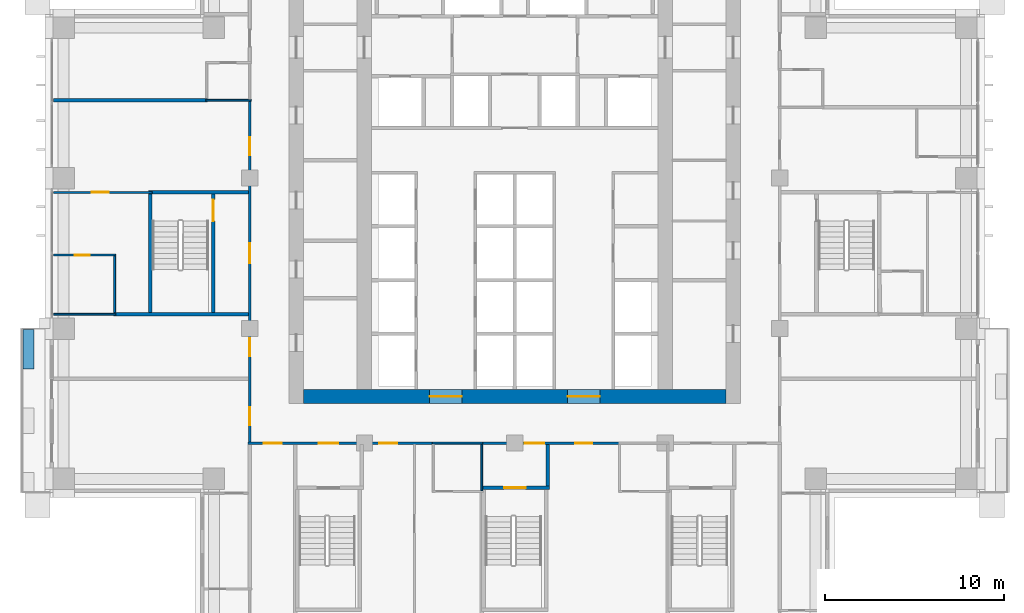
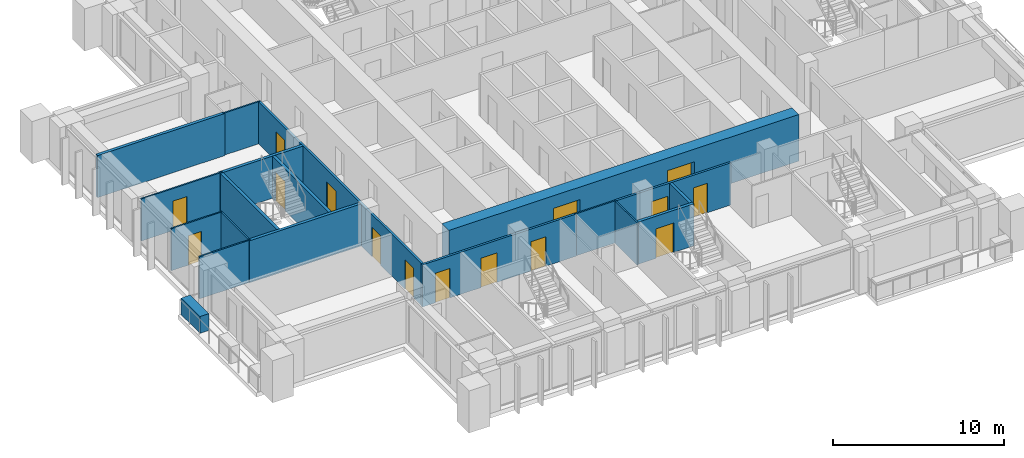
# One storey, part 10 of 21: 19 walls, 15 doors, 15 openings.
"""IFC4 building model written with IfcOpenShell, lengths in metres."""

from ifc_helpers import new_model, si_unit, direction, frame, frame_2d, origin, place, context, subcontext, project, spatial, rectangle, extrude, material, layer, layer_set, type_object, element, fill, save


model = new_model("IFC4")

# Units and contexts
model_context = context("Model", 3, precision=1e-05, world=origin(), true_north=direction((0.0, 1.0)))
body_context = subcontext(model_context, "Body", "Model", "MODEL_VIEW")
ifc_project = project(units=[si_unit("LENGTHUNIT", "METRE"), si_unit("AREAUNIT", "SQUARE_METRE"), si_unit("VOLUMEUNIT", "CUBIC_METRE"), si_unit("PLANEANGLEUNIT", "RADIAN"), si_unit("MASSUNIT", "GRAM", prefix="KILO")], contexts=[model_context])

# Site, building, storey
site_placement = place(None, origin())
site = spatial("IfcSite", under=ifc_project, at=site_placement, CompositionType="ELEMENT")
building_placement = place(site_placement, origin())
building = spatial("IfcBuilding", under=site, at=building_placement, Name="Vermilion Ogive Tower", CompositionType="ELEMENT")
storey_placement = place(building_placement, frame((0.0, 0.0, 118.35009765625)))
storey = spatial("IfcBuildingStorey", under=building, at=storey_placement, Name="L30", CompositionType="ELEMENT", Elevation=118.35009765625)

# Wall, openings, doors
ifc_material_1 = material(Name="Concrete B80", Category="concrete")
ifc_layer_1 = layer(ifc_material_1, 0.800048828125)
ifc_layer_set_1 = layer_set([ifc_layer_1], Name="Core wall 800 B80")
wall_type_1 = type_object("IfcWallType", Name="Core wall 800 B80", PredefinedType="SHEAR", material=ifc_layer_set_1)
wall_1_placement = place(storey_placement, frame((-11.800048828125, -8.0, -0.320068359375), z_axis=(0.0, 0.0, 1.0), x_axis=(1.0, 0.0, 0.0)))
wall_1 = element("IfcWall", 1, at=wall_1_placement, inside=storey, type_object=wall_type_1, Name="L30-CORE-S", PredefinedType="SHEAR", context=body_context, shape_type="SweptSolid", body=[
    extrude(rectangle(XDim=23.60009765625, YDim=0.800048828125, at=frame_2d((11.800048828125, 0.0))), origin(), (0.0, 0.0, 1.0), 3.320068359375),
])
opening_1_placement = place(wall_1_placement, frame((7.050048828125, 0.0, 0.320068359375)))
opening_1 = element("IfcOpeningElement", 2, at=opening_1_placement, cuts=wall_1, Name="Opening DAH023", PredefinedType="OPENING", context=body_context, shape_type="SweptSolid", body=[
    extrude(rectangle(XDim=1.800048828125, YDim=2.10009765625, at=frame_2d((0.89990234375, 1.050048828125))), frame((0.0, 0.409912109375, 0.0), z_axis=(0.0, -1.0, 0.0), x_axis=(1.0, 0.0, 0.0)), (0.0, 0.0, 1.0), 0.820068359375),
])
opening_2_placement = place(wall_1_placement, frame((14.75, 0.0, 0.320068359375)))
opening_2 = element("IfcOpeningElement", 3, at=opening_2_placement, cuts=wall_1, Name="Opening DAH024", PredefinedType="OPENING", context=body_context, shape_type="SweptSolid", body=[
    extrude(rectangle(XDim=1.800048828125, YDim=2.10009765625, at=frame_2d((0.89990234375, 1.050048828125))), frame((0.0, 0.409912109375, 0.0), z_axis=(0.0, -1.0, 0.0), x_axis=(1.0, 0.0, 0.0)), (0.0, 0.0, 1.0), 0.820068359375),
])
ifc_material_2 = material(Name="Timber door leaf", Category="wood")
door_type_1 = type_object("IfcDoorType", Name="Core entry door 1800 x 2100 FD60S", OperationType="DOUBLE_DOOR_SINGLE_SWING", PredefinedType="DOOR", material=ifc_material_2)
door_1_placement = place(opening_1_placement, origin())
door_1 = element("IfcDoor", 4, at=door_1_placement, inside=storey, type_object=door_type_1, Name="L30-CK-XD1", OperationType="SINGLE_SWING_LEFT", OverallHeight=2.10009765625, OverallWidth=1.800048828125, PredefinedType="DOOR", context=body_context, shape_type="SweptSolid", body=[
    extrude(rectangle(XDim=1.800048828125, YDim=2.10009765625, at=frame_2d((0.89990234375, 1.050048828125))), frame((0.0, 0.02490234375, 0.0), z_axis=(0.0, -1.0, 0.0), x_axis=(1.0, 0.0, 0.0)), (0.0, 0.0, 1.0), 0.050048828125),
])
fill(opening_1, door_1)
door_2_placement = place(opening_2_placement, origin())
door_2 = element("IfcDoor", 5, at=door_2_placement, inside=storey, type_object=door_type_1, Name="L30-CK-XD2", OperationType="SINGLE_SWING_LEFT", OverallHeight=2.10009765625, OverallWidth=1.800048828125, PredefinedType="DOOR", context=body_context, shape_type="SweptSolid", body=[
    extrude(rectangle(XDim=1.800048828125, YDim=2.10009765625, at=frame_2d((0.89990234375, 1.050048828125))), frame((0.0, 0.02490234375, 0.0), z_axis=(0.0, -1.0, 0.0), x_axis=(1.0, 0.0, 0.0)), (0.0, 0.0, 1.0), 0.050048828125),
])
fill(opening_2, door_2)

# Walls
ifc_material_3 = material(Name="Gypsum board partition on steel studs", Category="steel")
ifc_layer_2 = layer(ifc_material_3, 0.10009765625)
ifc_layer_set_2 = layer_set([ifc_layer_2], Name="Partition 100 bath")
wall_type_2 = type_object("IfcWallType", Name="Partition 100 bath", PredefinedType="PARTITIONING", material=ifc_layer_set_2)
wall_2_placement = place(storey_placement, frame((-4.60009765625, -10.60009765625, 0.0), z_axis=(0.0, 0.0, 1.0), x_axis=(1.0, 0.0, 0.0)))
element("IfcWall", 6, at=wall_2_placement, inside=storey, type_object=wall_type_2, Name="L30-W-W014", PredefinedType="PARTITIONING", context=body_context, shape_type="SweptSolid", body=[
    extrude(rectangle(XDim=2.800048828125, YDim=0.10009765625, at=frame_2d((1.39990234375, 0.0))), origin(), (0.0, 0.0, 1.0), 3.0),
])
wall_3_placement = place(storey_placement, frame((-25.75, -3.39990234375, 0.0), z_axis=(0.0, 0.0, 1.0), x_axis=(1.0, 0.0, 0.0)))
element("IfcWall", 7, at=wall_3_placement, inside=storey, type_object=wall_type_2, Name="L30-W-W020", PredefinedType="PARTITIONING", context=body_context, shape_type="SweptSolid", body=[
    extrude(rectangle(XDim=3.449951171875, YDim=0.10009765625, at=frame_2d((1.72509765625, 0.0))), origin(), (0.0, 0.0, 1.0), 3.0),
])

# Wall, opening, door
wall_4_placement = place(storey_placement, frame((-25.75, -0.10009765625, 0.0), z_axis=(0.0, 0.0, 1.0), x_axis=(1.0, 0.0, 0.0)))
wall_4 = element("IfcWall", 8, at=wall_4_placement, inside=storey, type_object=wall_type_2, Name="L30-W-W026", PredefinedType="PARTITIONING", context=body_context, shape_type="SweptSolid", body=[
    extrude(rectangle(XDim=3.449951171875, YDim=0.10009765625, at=frame_2d((1.72509765625, 0.0))), origin(), (0.0, 0.0, 1.0), 3.0),
])
opening_3_placement = place(wall_4_placement, frame((1.175048828125, 0.0, 0.0)))
opening_3 = element("IfcOpeningElement", 9, at=opening_3_placement, cuts=wall_4, Name="Opening D2G6006", PredefinedType="OPENING", context=body_context, shape_type="SweptSolid", body=[
    extrude(rectangle(XDim=0.85009765625, YDim=2.10009765625, at=frame_2d((0.425048828125, 1.050048828125))), frame((0.0, 0.06005859375, 0.0), z_axis=(0.0, -1.0, 0.0), x_axis=(1.0, 0.0, 0.0)), (0.0, 0.0, 1.0), 0.1201171875),
])
ifc_material_4 = material(Name="Timber door leaf", Category="wood")
door_type_2 = type_object("IfcDoorType", Name="Bath door 850 x 2100 FD30", OperationType="SINGLE_SWING_LEFT", PredefinedType="DOOR", material=ifc_material_4)
door_3_placement = place(opening_3_placement, origin())
door_3 = element("IfcDoor", 10, at=door_3_placement, inside=storey, type_object=door_type_2, Name="L30-D-D006", OperationType="SINGLE_SWING_RIGHT", OverallHeight=2.10009765625, OverallWidth=0.85009765625, PredefinedType="DOOR", context=body_context, shape_type="SweptSolid", body=[
    extrude(rectangle(XDim=0.85009765625, YDim=2.10009765625, at=frame_2d((0.425048828125, 1.050048828125))), frame((0.0, 0.02490234375, 0.0), z_axis=(0.0, -1.0, 0.0), x_axis=(1.0, 0.0, 0.0)), (0.0, 0.0, 1.0), 0.050048828125),
])
fill(opening_3, door_3)

# Walls
wall_5_placement = place(storey_placement, frame((-17.25, 8.550048828125, 0.0), z_axis=(0.0, 0.0, 1.0), x_axis=(1.0, 0.0, 0.0)))
element("IfcWall", 11, at=wall_5_placement, inside=storey, type_object=wall_type_2, Name="L30-W-W035", PredefinedType="PARTITIONING", context=body_context, shape_type="SweptSolid", body=[
    extrude(rectangle(XDim=2.52490234375, YDim=0.10009765625, at=frame_2d((1.262451171875, 0.0))), origin(), (0.0, 0.0, 1.0), 3.0),
])
wall_6_placement = place(storey_placement, frame((-22.35009765625, -3.300048828125, 0.0), z_axis=(0.0, 0.0, 1.0), x_axis=(0.0, 1.0, 0.0)))
element("IfcWall", 12, at=wall_6_placement, inside=storey, type_object=wall_type_2, Name="L30-W-W042", PredefinedType="PARTITIONING", context=body_context, shape_type="SweptSolid", body=[
    extrude(rectangle(XDim=3.150146484375, YDim=0.10009765625, at=frame_2d((1.5751953125, 0.0))), origin(), (0.0, 0.0, 1.0), 3.0),
])
wall_7_placement = place(storey_placement, frame((-1.85009765625, -13.25, 0.0), z_axis=(0.0, 0.0, 1.0), x_axis=(0.0, 1.0, 0.0)))
element("IfcWall", 13, at=wall_7_placement, inside=storey, type_object=wall_type_2, Name="L30-W-W058", PredefinedType="PARTITIONING", context=body_context, shape_type="SweptSolid", body=[
    extrude(rectangle(XDim=2.574951171875, YDim=0.10009765625, at=frame_2d((1.28759765625, 0.0))), origin(), (0.0, 0.0, 1.0), 3.0),
])

# Wall, opening, door
ifc_material_5 = material(Name="Gypsum board partition on steel studs", Category="steel")
ifc_layer_3 = layer(ifc_material_5, 0.10009765625)
ifc_layer_set_3 = layer_set([ifc_layer_3], Name="Partition 100 inner")
wall_type_3 = type_object("IfcWallType", Name="Partition 100 inner", PredefinedType="PARTITIONING", material=ifc_layer_set_3)
wall_8_placement = place(storey_placement, frame((-25.75, 3.39990234375, 0.0), z_axis=(0.0, 0.0, 1.0), x_axis=(1.0, 0.0, 0.0)))
wall_8 = element("IfcWall", 14, at=wall_8_placement, inside=storey, type_object=wall_type_3, Name="L30-W-W027", PredefinedType="PARTITIONING", context=body_context, shape_type="SweptSolid", body=[
    extrude(rectangle(XDim=5.5, YDim=0.10009765625, at=frame_2d((2.75, 0.0))), origin(), (0.0, 0.0, 1.0), 3.0),
])
opening_4_placement = place(wall_8_placement, frame((2.125, 0.0, 0.0)))
opening_4 = element("IfcOpeningElement", 15, at=opening_4_placement, cuts=wall_8, Name="Opening D2G6005", PredefinedType="OPENING", context=body_context, shape_type="SweptSolid", body=[
    extrude(rectangle(XDim=0.949951171875, YDim=2.10009765625, at=frame_2d((0.47509765625, 1.050048828125))), frame((0.0, 0.06005859375, 0.0), z_axis=(0.0, -1.0, 0.0), x_axis=(1.0, 0.0, 0.0)), (0.0, 0.0, 1.0), 0.1201171875),
])
ifc_material_6 = material(Name="Timber door leaf", Category="wood")
door_type_3 = type_object("IfcDoorType", Name="Inner door 950 x 2100 FD30", OperationType="SINGLE_SWING_LEFT", PredefinedType="DOOR", material=ifc_material_6)
door_4_placement = place(opening_4_placement, origin())
door_4 = element("IfcDoor", 16, at=door_4_placement, inside=storey, type_object=door_type_3, Name="L30-D-D005", OperationType="SINGLE_SWING_LEFT", OverallHeight=2.10009765625, OverallWidth=0.949951171875, PredefinedType="DOOR", context=body_context, shape_type="SweptSolid", body=[
    extrude(rectangle(XDim=0.949951171875, YDim=2.10009765625, at=frame_2d((0.47509765625, 1.050048828125))), frame((0.0, 0.02490234375, 0.0), z_axis=(0.0, -1.0, 0.0), x_axis=(1.0, 0.0, 0.0)), (0.0, 0.0, 1.0), 0.050048828125),
])
fill(opening_4, door_4)

# Wall, openings, doors
ifc_material_7 = material(Name="Gypsum board partition on steel studs", Category="steel")
ifc_layer_4 = layer(ifc_material_7, 0.14990234375)
ifc_layer_set_4 = layer_set([ifc_layer_4], Name="Partition 150 corridor")
wall_type_4 = type_object("IfcWallType", Name="Partition 150 corridor", PredefinedType="PARTITIONING", material=ifc_layer_set_4)
wall_9_placement = place(storey_placement, frame((-14.89990234375, -10.60009765625, 0.0), z_axis=(0.0, 0.0, 1.0), x_axis=(1.0, 0.0, 0.0)))
wall_9 = element("IfcWall", 17, at=wall_9_placement, inside=storey, type_object=wall_type_4, Name="L30-W-W013", PredefinedType="PARTITIONING", context=body_context, shape_type="SweptSolid", body=[
    extrude(rectangle(XDim=10.39990234375, YDim=0.14990234375, at=frame_2d((5.199951171875, 0.0))), origin(), (0.0, 0.0, 1.0), 3.0),
])
opening_5_placement = place(wall_9_placement, frame((7.324951171875, 0.0, 0.0)))
opening_5 = element("IfcOpeningElement", 18, at=opening_5_placement, cuts=wall_9, Name="Opening D2G6011", PredefinedType="OPENING", context=body_context, shape_type="SweptSolid", body=[
    extrude(rectangle(XDim=1.0, YDim=2.10009765625, at=frame_2d((0.5, 1.050048828125))), frame((0.0, 0.0849609375, 0.0), z_axis=(0.0, -1.0, 0.0), x_axis=(1.0, 0.0, 0.0)), (0.0, 0.0, 1.0), 0.169921875),
])
opening_6_placement = place(wall_9_placement, frame((3.949951171875, 0.0, 0.0)))
opening_6 = element("IfcOpeningElement", 19, at=opening_6_placement, cuts=wall_9, Name="Opening D2G6028", PredefinedType="OPENING", context=body_context, shape_type="SweptSolid", body=[
    extrude(rectangle(XDim=1.10009765625, YDim=2.10009765625, at=frame_2d((0.550048828125, 1.050048828125))), frame((0.0, 0.0849609375, 0.0), z_axis=(0.0, -1.0, 0.0), x_axis=(1.0, 0.0, 0.0)), (0.0, 0.0, 1.0), 0.169921875),
])
opening_7_placement = place(wall_9_placement, frame((0.875, 0.0, 0.0)))
opening_7 = element("IfcOpeningElement", 20, at=opening_7_placement, cuts=wall_9, Name="Opening D2G6038", PredefinedType="OPENING", context=body_context, shape_type="SweptSolid", body=[
    extrude(rectangle(XDim=1.0, YDim=2.10009765625, at=frame_2d((0.5, 1.050048828125))), frame((0.0, 0.0849609375, 0.0), z_axis=(0.0, -1.0, 0.0), x_axis=(1.0, 0.0, 0.0)), (0.0, 0.0, 1.0), 0.169921875),
])
ifc_material_8 = material(Name="Timber door leaf", Category="wood")
door_type_4 = type_object("IfcDoorType", Name="Stair door 1100 x 2100 FD60S", OperationType="SINGLE_SWING_LEFT", PredefinedType="DOOR", material=ifc_material_8)
door_5_placement = place(opening_6_placement, origin())
door_5 = element("IfcDoor", 21, at=door_5_placement, inside=storey, type_object=door_type_4, Name="L30-D-D028", OperationType="SINGLE_SWING_RIGHT", OverallHeight=2.10009765625, OverallWidth=1.10009765625, PredefinedType="DOOR", context=body_context, shape_type="SweptSolid", body=[
    extrude(rectangle(XDim=1.10009765625, YDim=2.10009765625, at=frame_2d((0.550048828125, 1.050048828125))), frame((0.0, 0.02490234375, 0.0), z_axis=(0.0, -1.0, 0.0), x_axis=(1.0, 0.0, 0.0)), (0.0, 0.0, 1.0), 0.050048828125),
])
fill(opening_6, door_5)
ifc_material_9 = material(Name="Timber door leaf", Category="wood")
door_type_5 = type_object("IfcDoorType", Name="Unit door 1000 x 2100 FD30S", OperationType="SINGLE_SWING_LEFT", PredefinedType="DOOR", material=ifc_material_9)
door_6_placement = place(opening_5_placement, origin())
door_6 = element("IfcDoor", 22, at=door_6_placement, inside=storey, type_object=door_type_5, Name="L30-D-D011", OperationType="SINGLE_SWING_RIGHT", OverallHeight=2.10009765625, OverallWidth=1.0, PredefinedType="DOOR", context=body_context, shape_type="SweptSolid", body=[
    extrude(rectangle(XDim=1.0, YDim=2.10009765625, at=frame_2d((0.5, 1.050048828125))), frame((0.0, 0.02490234375, 0.0), z_axis=(0.0, -1.0, 0.0), x_axis=(1.0, 0.0, 0.0)), (0.0, 0.0, 1.0), 0.050048828125),
])
fill(opening_5, door_6)
door_7_placement = place(opening_7_placement, origin())
door_7 = element("IfcDoor", 23, at=door_7_placement, inside=storey, type_object=door_type_5, Name="L30-D-D038", OperationType="SINGLE_SWING_RIGHT", OverallHeight=2.10009765625, OverallWidth=1.0, PredefinedType="DOOR", context=body_context, shape_type="SweptSolid", body=[
    extrude(rectangle(XDim=1.0, YDim=2.10009765625, at=frame_2d((0.5, 1.050048828125))), frame((0.0, 0.02490234375, 0.0), z_axis=(0.0, -1.0, 0.0), x_axis=(1.0, 0.0, 0.0)), (0.0, 0.0, 1.0), 0.050048828125),
])
fill(opening_7, door_7)

wall_10_placement = place(storey_placement, frame((-1.89990234375, -10.60009765625, 0.0), z_axis=(0.0, 0.0, 1.0), x_axis=(1.0, 0.0, 0.0)))
wall_10 = element("IfcWall", 24, at=wall_10_placement, inside=storey, type_object=wall_type_4, Name="L30-W-W015", PredefinedType="PARTITIONING", context=body_context, shape_type="SweptSolid", body=[
    extrude(rectangle(XDim=7.7998046875, YDim=0.14990234375, at=frame_2d((3.89990234375, 0.0))), origin(), (0.0, 0.0, 1.0), 3.0),
])
opening_8_placement = place(wall_10_placement, frame((5.27490234375, 0.0, 0.0)))
opening_8 = element("IfcOpeningElement", 25, at=opening_8_placement, cuts=wall_10, Name="Opening D2G6014", PredefinedType="OPENING", context=body_context, shape_type="SweptSolid", body=[
    extrude(rectangle(XDim=0.949951171875, YDim=2.10009765625, at=frame_2d((0.47509765625, 1.050048828125))), frame((0.0, 0.0849609375, 0.0), z_axis=(0.0, -1.0, 0.0), x_axis=(1.0, 0.0, 0.0)), (0.0, 0.0, 1.0), 0.169921875),
])
opening_9_placement = place(wall_10_placement, frame((2.449951171875, 0.0, 0.0)))
opening_9 = element("IfcOpeningElement", 26, at=opening_9_placement, cuts=wall_10, Name="Opening D2G6030", PredefinedType="OPENING", context=body_context, shape_type="SweptSolid", body=[
    extrude(rectangle(XDim=1.10009765625, YDim=2.10009765625, at=frame_2d((0.550048828125, 1.050048828125))), frame((0.0, 0.0849609375, 0.0), z_axis=(0.0, -1.0, 0.0), x_axis=(1.0, 0.0, 0.0)), (0.0, 0.0, 1.0), 0.169921875),
])
door_8_placement = place(opening_9_placement, origin())
door_8 = element("IfcDoor", 27, at=door_8_placement, inside=storey, type_object=door_type_4, Name="L30-D-D030", OperationType="SINGLE_SWING_LEFT", OverallHeight=2.10009765625, OverallWidth=1.10009765625, PredefinedType="DOOR", context=body_context, shape_type="SweptSolid", body=[
    extrude(rectangle(XDim=1.10009765625, YDim=2.10009765625, at=frame_2d((0.550048828125, 1.050048828125))), frame((0.0, 0.02490234375, 0.0), z_axis=(0.0, -1.0, 0.0), x_axis=(1.0, 0.0, 0.0)), (0.0, 0.0, 1.0), 0.050048828125),
])
fill(opening_9, door_8)
ifc_material_10 = material(Name="Timber door leaf", Category="wood")
door_type_6 = type_object("IfcDoorType", Name="Unit door 950 x 2100 FD30S", OperationType="SINGLE_SWING_LEFT", PredefinedType="DOOR", material=ifc_material_10)
door_9_placement = place(opening_8_placement, origin())
door_9 = element("IfcDoor", 28, at=door_9_placement, inside=storey, type_object=door_type_6, Name="L30-D-D014", OperationType="SINGLE_SWING_LEFT", OverallHeight=2.10009765625, OverallWidth=0.949951171875, PredefinedType="DOOR", context=body_context, shape_type="SweptSolid", body=[
    extrude(rectangle(XDim=0.949951171875, YDim=2.10009765625, at=frame_2d((0.47509765625, 1.050048828125))), frame((0.0, 0.02490234375, 0.0), z_axis=(0.0, -1.0, 0.0), x_axis=(1.0, 0.0, 0.0)), (0.0, 0.0, 1.0), 0.050048828125),
])
fill(opening_8, door_9)

wall_11_placement = place(storey_placement, frame((-14.800048828125, -10.52490234375, 0.0), z_axis=(0.0, 0.0, 1.0), x_axis=(0.0, 1.0, 0.0)))
wall_11 = element("IfcWall", 29, at=wall_11_placement, inside=storey, type_object=wall_type_4, Name="L30-W-W048", PredefinedType="PARTITIONING", context=body_context, shape_type="SweptSolid", body=[
    extrude(rectangle(XDim=19.02490234375, YDim=0.14990234375, at=frame_2d((9.512451171875, 0.0))), origin(), (0.0, 0.0, 1.0), 3.0),
])
opening_10_placement = place(wall_11_placement, frame((0.9248046875, 0.0, 0.0)))
opening_10 = element("IfcOpeningElement", 30, at=opening_10_placement, cuts=wall_11, Name="Opening D2G6001", PredefinedType="OPENING", context=body_context, shape_type="SweptSolid", body=[
    extrude(rectangle(XDim=1.0, YDim=2.10009765625, at=frame_2d((0.5, 1.050048828125))), frame((0.0, 0.0849609375, 0.0), z_axis=(0.0, -1.0, 0.0), x_axis=(1.0, 0.0, 0.0)), (0.0, 0.0, 1.0), 0.169921875),
])
opening_11_placement = place(wall_11_placement, frame((16.0, 0.0, 0.0)))
opening_11 = element("IfcOpeningElement", 31, at=opening_11_placement, cuts=wall_11, Name="Opening D2G6004", PredefinedType="OPENING", context=body_context, shape_type="SweptSolid", body=[
    extrude(rectangle(XDim=1.0, YDim=2.10009765625, at=frame_2d((0.5, 1.050048828125))), frame((0.0, 0.0849609375, 0.0), z_axis=(0.0, -1.0, 0.0), x_axis=(1.0, 0.0, 0.0)), (0.0, 0.0, 1.0), 0.169921875),
])
opening_12_placement = place(wall_11_placement, frame((9.974853515625, 0.0, 0.0)))
opening_12 = element("IfcOpeningElement", 32, at=opening_12_placement, cuts=wall_11, Name="Opening D2G6036", PredefinedType="OPENING", context=body_context, shape_type="SweptSolid", body=[
    extrude(rectangle(XDim=1.10009765625, YDim=2.10009765625, at=frame_2d((0.550048828125, 1.050048828125))), frame((0.0, 0.0849609375, 0.0), z_axis=(0.0, -1.0, 0.0), x_axis=(1.0, 0.0, 0.0)), (0.0, 0.0, 1.0), 0.169921875),
])
opening_13_placement = place(wall_11_placement, frame((4.77490234375, 0.0, 0.0)))
opening_13 = element("IfcOpeningElement", 33, at=opening_13_placement, cuts=wall_11, Name="Opening D2G6040", PredefinedType="OPENING", context=body_context, shape_type="SweptSolid", body=[
    extrude(rectangle(XDim=1.0, YDim=2.10009765625, at=frame_2d((0.5, 1.050048828125))), frame((0.0, 0.0849609375, 0.0), z_axis=(0.0, -1.0, 0.0), x_axis=(1.0, 0.0, 0.0)), (0.0, 0.0, 1.0), 0.169921875),
])
door_10_placement = place(opening_12_placement, origin())
door_10 = element("IfcDoor", 34, at=door_10_placement, inside=storey, type_object=door_type_4, Name="L30-D-D036", OperationType="SINGLE_SWING_RIGHT", OverallHeight=2.10009765625, OverallWidth=1.10009765625, PredefinedType="DOOR", context=body_context, shape_type="SweptSolid", body=[
    extrude(rectangle(XDim=1.10009765625, YDim=2.10009765625, at=frame_2d((0.550048828125, 1.050048828125))), frame((0.0, 0.02490234375, 0.0), z_axis=(0.0, -1.0, 0.0), x_axis=(1.0, 0.0, 0.0)), (0.0, 0.0, 1.0), 0.050048828125),
])
fill(opening_12, door_10)
door_11_placement = place(opening_10_placement, origin())
door_11 = element("IfcDoor", 35, at=door_11_placement, inside=storey, type_object=door_type_5, Name="L30-D-D001", OperationType="SINGLE_SWING_LEFT", OverallHeight=2.10009765625, OverallWidth=1.0, PredefinedType="DOOR", context=body_context, shape_type="SweptSolid", body=[
    extrude(rectangle(XDim=1.0, YDim=2.10009765625, at=frame_2d((0.5, 1.050048828125))), frame((0.0, 0.02490234375, 0.0), z_axis=(0.0, -1.0, 0.0), x_axis=(1.0, 0.0, 0.0)), (0.0, 0.0, 1.0), 0.050048828125),
])
fill(opening_10, door_11)
door_12_placement = place(opening_11_placement, origin())
door_12 = element("IfcDoor", 36, at=door_12_placement, inside=storey, type_object=door_type_5, Name="L30-D-D004", OperationType="SINGLE_SWING_LEFT", OverallHeight=2.10009765625, OverallWidth=1.0, PredefinedType="DOOR", context=body_context, shape_type="SweptSolid", body=[
    extrude(rectangle(XDim=1.0, YDim=2.10009765625, at=frame_2d((0.5, 1.050048828125))), frame((0.0, 0.02490234375, 0.0), z_axis=(0.0, -1.0, 0.0), x_axis=(1.0, 0.0, 0.0)), (0.0, 0.0, 1.0), 0.050048828125),
])
fill(opening_11, door_12)
door_13_placement = place(opening_13_placement, origin())
door_13 = element("IfcDoor", 37, at=door_13_placement, inside=storey, type_object=door_type_5, Name="L30-D-D040", OperationType="SINGLE_SWING_LEFT", OverallHeight=2.10009765625, OverallWidth=1.0, PredefinedType="DOOR", context=body_context, shape_type="SweptSolid", body=[
    extrude(rectangle(XDim=1.0, YDim=2.10009765625, at=frame_2d((0.5, 1.050048828125))), frame((0.0, 0.02490234375, 0.0), z_axis=(0.0, -1.0, 0.0), x_axis=(1.0, 0.0, 0.0)), (0.0, 0.0, 1.0), 0.050048828125),
])
fill(opening_13, door_13)

# Walls
ifc_material_11 = material(Name="Gypsum board partition on steel studs", Category="steel")
ifc_layer_5 = layer(ifc_material_11, 0.199951171875)
ifc_layer_set_5 = layer_set([ifc_layer_5], Name="Partition 200 party")
wall_type_5 = type_object("IfcWallType", Name="Partition 200 party", PredefinedType="PARTITIONING", material=ifc_layer_set_5)
wall_12_placement = place(storey_placement, frame((-25.75, 8.550048828125, 0.0), z_axis=(0.0, 0.0, 1.0), x_axis=(1.0, 0.0, 0.0)))
element("IfcWall", 38, at=wall_12_placement, inside=storey, type_object=wall_type_5, Name="L30-W-W034", PredefinedType="PARTITIONING", context=body_context, shape_type="SweptSolid", body=[
    extrude(rectangle(XDim=8.60009765625, YDim=0.199951171875, at=frame_2d((4.300048828125, 0.0))), origin(), (0.0, 0.0, 1.0), 3.0),
])
wall_13_placement = place(storey_placement, frame((1.85009765625, -12.998046875, 0.0), z_axis=(0.0, 0.0, 1.0), x_axis=(0.0, 1.0, 0.0)))
element("IfcWall", 39, at=wall_13_placement, inside=storey, type_object=wall_type_5, Name="L30-W-W061", PredefinedType="PARTITIONING", context=body_context, shape_type="SweptSolid", body=[
    extrude(rectangle(XDim=2.322998046875, YDim=0.199951171875, at=frame_2d((1.16162109375, 0.0))), origin(), (0.0, 0.0, 1.0), 3.0),
])

# Wall, opening, door
ifc_material_12 = material(Name="Concrete B60", Category="concrete")
ifc_layer_6 = layer(ifc_material_12, 0.199951171875)
ifc_layer_set_6 = layer_set([ifc_layer_6], Name="Stair shaft wall 200 Concrete B60")
wall_type_6 = type_object("IfcWallType", Name="Stair shaft wall 200 Concrete B60", PredefinedType="SOLIDWALL", material=ifc_layer_set_6)
wall_14_placement = place(storey_placement, frame((-1.798095703125, -13.10009765625, 0.0), z_axis=(0.0, 0.0, 1.0), x_axis=(1.0, 0.0, 0.0)))
wall_14 = element("IfcWall", 40, at=wall_14_placement, inside=storey, type_object=wall_type_6, Name="L30-W-W011", PredefinedType="SOLIDWALL", context=body_context, shape_type="SweptSolid", body=[
    extrude(rectangle(XDim=3.74609375, YDim=0.199951171875, at=frame_2d((1.873046875, 0.0))), origin(), (0.0, 0.0, 1.0), 3.0),
])
opening_14_placement = place(wall_14_placement, frame((1.197998046875, 0.0, 0.0)))
opening_14 = element("IfcOpeningElement", 41, at=opening_14_placement, cuts=wall_14, Name="Opening D2G6031", PredefinedType="OPENING", context=body_context, shape_type="SweptSolid", body=[
    extrude(rectangle(XDim=1.199951171875, YDim=2.10009765625, at=frame_2d((0.60009765625, 1.050048828125))), frame((0.0, 0.10986328125, 0.0), z_axis=(0.0, -1.0, 0.0), x_axis=(1.0, 0.0, 0.0)), (0.0, 0.0, 1.0), 0.219970703125),
])
ifc_material_13 = material(Name="Timber door leaf", Category="wood")
door_type_7 = type_object("IfcDoorType", Name="Stair door 1200 x 2100 FD60S", OperationType="SINGLE_SWING_LEFT", PredefinedType="DOOR", material=ifc_material_13)
door_14_placement = place(opening_14_placement, origin())
door_14 = element("IfcDoor", 42, at=door_14_placement, inside=storey, type_object=door_type_7, Name="L30-D-D031", OperationType="SINGLE_SWING_RIGHT", OverallHeight=2.10009765625, OverallWidth=1.199951171875, PredefinedType="DOOR", context=body_context, shape_type="SweptSolid", body=[
    extrude(rectangle(XDim=1.199951171875, YDim=2.10009765625, at=frame_2d((0.60009765625, 1.050048828125))), frame((0.0, 0.02490234375, 0.0), z_axis=(0.0, -1.0, 0.0), x_axis=(1.0, 0.0, 0.0)), (0.0, 0.0, 1.0), 0.050048828125),
])
fill(opening_14, door_14)

# Walls
wall_15_placement = place(storey_placement, frame((-20.449951171875, 3.39990234375, 0.0), z_axis=(0.0, 0.0, 1.0), x_axis=(1.0, 0.0, 0.0)))
element("IfcWall", 43, at=wall_15_placement, inside=storey, type_object=wall_type_6, Name="L30-W-W028", PredefinedType="SOLIDWALL", context=body_context, shape_type="SweptSolid", body=[
    extrude(rectangle(XDim=5.574951171875, YDim=0.199951171875, at=frame_2d((2.78759765625, 0.0))), origin(), (0.0, 0.0, 1.0), 3.0),
])
wall_16_placement = place(storey_placement, frame((-20.35009765625, -3.300048828125, 0.0), z_axis=(0.0, 0.0, 1.0), x_axis=(0.0, 1.0, 0.0)))
element("IfcWall", 44, at=wall_16_placement, inside=storey, type_object=wall_type_6, Name="L30-W-W043", PredefinedType="SOLIDWALL", context=body_context, shape_type="SweptSolid", body=[
    extrude(rectangle(XDim=6.60009765625, YDim=0.199951171875, at=frame_2d((3.300048828125, 0.0))), origin(), (0.0, 0.0, 1.0), 3.0),
])

# Wall, opening, door
wall_17_placement = place(storey_placement, frame((-16.85009765625, -3.300048828125, 0.0), z_axis=(0.0, 0.0, 1.0), x_axis=(0.0, 1.0, 0.0)))
wall_17 = element("IfcWall", 45, at=wall_17_placement, inside=storey, type_object=wall_type_6, Name="L30-W-W045", PredefinedType="SOLIDWALL", context=body_context, shape_type="SweptSolid", body=[
    extrude(rectangle(XDim=6.60009765625, YDim=0.199951171875, at=frame_2d((3.300048828125, 0.0))), origin(), (0.0, 0.0, 1.0), 3.0),
])
opening_15_placement = place(wall_17_placement, frame((5.10009765625, 0.0, 0.0)))
opening_15 = element("IfcOpeningElement", 46, at=opening_15_placement, cuts=wall_17, Name="Opening D2G6037", PredefinedType="OPENING", context=body_context, shape_type="SweptSolid", body=[
    extrude(rectangle(XDim=1.199951171875, YDim=2.10009765625, at=frame_2d((0.60009765625, 1.050048828125))), frame((0.0, 0.10986328125, 0.0), z_axis=(0.0, -1.0, 0.0), x_axis=(1.0, 0.0, 0.0)), (0.0, 0.0, 1.0), 0.219970703125),
])
door_15_placement = place(opening_15_placement, origin())
door_15 = element("IfcDoor", 47, at=door_15_placement, inside=storey, type_object=door_type_7, Name="L30-D-D037", OperationType="SINGLE_SWING_RIGHT", OverallHeight=2.10009765625, OverallWidth=1.199951171875, PredefinedType="DOOR", context=body_context, shape_type="SweptSolid", body=[
    extrude(rectangle(XDim=1.199951171875, YDim=2.10009765625, at=frame_2d((0.60009765625, 1.050048828125))), frame((0.0, 0.02490234375, 0.0), z_axis=(0.0, -1.0, 0.0), x_axis=(1.0, 0.0, 0.0)), (0.0, 0.0, 1.0), 0.050048828125),
])
fill(opening_15, door_15)

# Walls
wall_18_placement = place(storey_placement, frame((-22.39990234375, -3.39990234375, 0.0), z_axis=(0.0, 0.0, 1.0), x_axis=(1.0, 0.0, 0.0)))
element("IfcWall", 48, at=wall_18_placement, inside=storey, type_object=wall_type_6, Name="L30-W-W021-A", PredefinedType="SOLIDWALL", context=body_context, shape_type="SweptSolid", body=[
    extrude(rectangle(XDim=7.52490234375, YDim=0.199951171875, at=frame_2d((3.762451171875, 0.0))), origin(), (0.0, 0.0, 1.0), 3.0),
])
ifc_material_14 = material(Name="Concrete B40", Category="concrete")
ifc_layer_7 = layer(ifc_material_14, 0.60009765625)
ifc_layer_set_7 = layer_set([ifc_layer_7], Name="Structural planter")
wall_type_7 = type_object("IfcWallType", Name="Structural planter", PredefinedType="USERDEFINED", material=ifc_layer_set_7)
wall_19_placement = place(storey_placement, frame((-27.154052734375, -4.260009765625, -0.0400390625), z_axis=(0.0, 0.0, 1.0), x_axis=(0.0, -1.0, 0.0)))
element("IfcWall", 49, at=wall_19_placement, inside=storey, type_object=wall_type_7, Name="Planter W03A1", ObjectType="PLANTER", PredefinedType="USERDEFINED", context=body_context, shape_type="SweptSolid", body=[
    extrude(rectangle(XDim=2.18994140625, YDim=0.60009765625, at=frame_2d((1.094970703125, 0.0))), origin(), (0.0, 0.0, 1.0), 1.199951171875),
])

save(model, "model.ifc")
